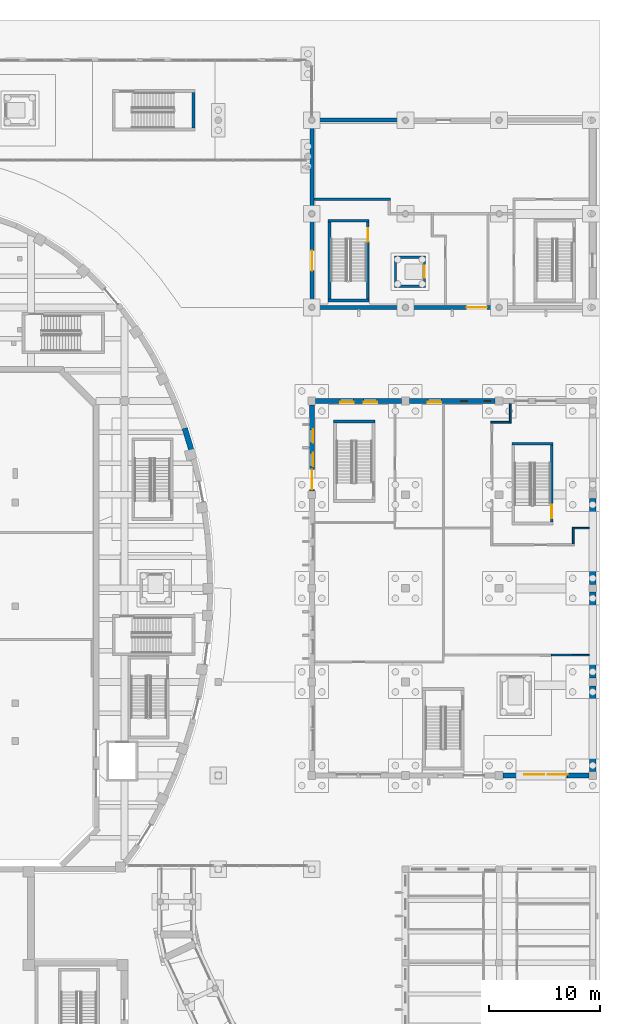
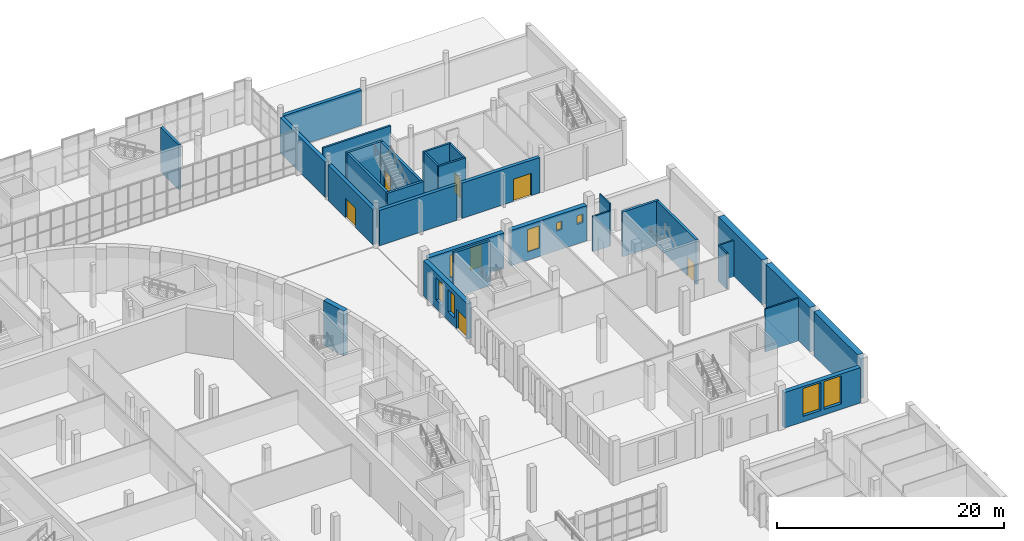
# One storey, part 67 of 110: 31 walls, 9 windows, 6 doors, 15 openings.
"""IFC4 building model written with IfcOpenShell, lengths in metres."""

from ifc_helpers import new_model, si_unit, direction, frame, frame_2d, origin, place, context, subcontext, project, spatial, rectangle, extrude, material, layer, layer_set, type_object, element, fill, save


model = new_model("IFC4")

# Units and contexts
model_context = context("Model", 3, precision=1e-05, world=origin(), true_north=direction((0.0, 1.0)))
body_context = subcontext(model_context, "Body", "Model", "MODEL_VIEW")
ifc_project = project(units=[si_unit("LENGTHUNIT", "METRE"), si_unit("AREAUNIT", "SQUARE_METRE"), si_unit("VOLUMEUNIT", "CUBIC_METRE"), si_unit("PLANEANGLEUNIT", "RADIAN"), si_unit("MASSUNIT", "GRAM", prefix="KILO")], contexts=[model_context])

# Site, building, storey
site_placement = place(None, origin())
site = spatial("IfcSite", under=ifc_project, at=site_placement, CompositionType="ELEMENT")
building_placement = place(site_placement, origin())
building = spatial("IfcBuilding", under=site, at=building_placement, Name="Larchfold Concert Hall", CompositionType="ELEMENT")
storey_placement = place(building_placement, origin())
storey = spatial("IfcBuildingStorey", under=building, at=storey_placement, Name="L00", CompositionType="ELEMENT", Elevation=0.0)

# Wall
ifc_material_1 = material(Name="Plasterboard partition on steel studs", Category="steel")
ifc_layer_1 = layer(ifc_material_1, 0.199951171875)
ifc_layer_set_1 = layer_set([ifc_layer_1], Name="Plasterboard partition on steel studs")
wall_type_1 = type_object("IfcWallType", Name="Acoustic partition 200", PredefinedType="PARTITIONING", material=ifc_layer_set_1)
wall_1_placement = place(storey_placement, frame((76.375, 119.4990234375, 0.0), z_axis=(0.0, 0.0, 1.0), x_axis=(1.0, 0.0, 0.0)))
element("IfcWall", 1, at=wall_1_placement, inside=storey, type_object=wall_type_1, Name="Partition IW0098", PredefinedType="PARTITIONING", context=body_context, shape_type="SweptSolid", body=[
    extrude(rectangle(XDim=6.8740234375, YDim=0.199951171875, at=frame_2d((3.43701171875, 0.0))), origin(), (0.0, 0.0, 1.0), 4.60009765625),
])

# Wall, openings, windows
ifc_material_2 = material(Name="Charred larch cladding on mineral wool and CLT", Category="wood")
ifc_layer_2 = layer(ifc_material_2, 0.449951171875)
ifc_layer_set_2 = layer_set([ifc_layer_2], Name="Charred larch cladding on mineral wool and CLT")
wall_type_2 = type_object("IfcWallType", Name="Charred larch infill wall 450", PredefinedType="SOLIDWALL", material=ifc_layer_set_2)
wall_2_placement = place(storey_placement, frame((92.64990234375, 101.39990234375, 0.0), z_axis=(0.0, 0.0, 1.0), x_axis=(-1.0, 0.0, 0.0)))
wall_2 = element("IfcWall", 2, at=wall_2_placement, inside=storey, type_object=wall_type_2, Name="Infill wall W5069", PredefinedType="SOLIDWALL", context=body_context, shape_type="SweptSolid", body=[
    extrude(rectangle(XDim=7.69970703125, YDim=0.449951171875, at=frame_2d((3.849853515625, 0.0))), origin(), (0.0, 0.0, 1.0), 3.800048828125),
])
opening_1_placement = place(wall_2_placement, frame((4.829833984375, 0.0, 0.89990234375)))
opening_1 = element("IfcOpeningElement", 3, at=opening_1_placement, cuts=wall_2, Name="Opening WN-L00-032", PredefinedType="OPENING", context=body_context, shape_type="SweptSolid", body=[
    extrude(rectangle(XDim=1.199951171875, YDim=2.39990234375, at=frame_2d((0.60009765625, 1.199951171875))), frame((0.0, 0.23486328125, 0.0), z_axis=(0.0, -1.0, 0.0), x_axis=(1.0, 0.0, 0.0)), (0.0, 0.0, 1.0), 0.469970703125),
])
opening_2_placement = place(wall_2_placement, frame((2.5, 0.0, 2.10009765625)))
opening_2 = element("IfcOpeningElement", 4, at=opening_2_placement, cuts=wall_2, Name="Opening WN-L00-033", PredefinedType="OPENING", context=body_context, shape_type="SweptSolid", body=[
    extrude(rectangle(XDim=0.60009765625, YDim=0.89990234375, at=frame_2d((0.300048828125, 0.449951171875))), frame((0.0, 0.23486328125, 0.0), z_axis=(0.0, -1.0, 0.0), x_axis=(1.0, 0.0, 0.0)), (0.0, 0.0, 1.0), 0.469970703125),
])
opening_3_placement = place(wall_2_placement, frame((0.39990234375, 0.0, 2.10009765625)))
opening_3 = element("IfcOpeningElement", 5, at=opening_3_placement, cuts=wall_2, Name="Opening WN-L00-034", PredefinedType="OPENING", context=body_context, shape_type="SweptSolid", body=[
    extrude(rectangle(XDim=0.60009765625, YDim=0.89990234375, at=frame_2d((0.300048828125, 0.449951171875))), frame((0.0, 0.23486328125, 0.0), z_axis=(0.0, -1.0, 0.0), x_axis=(1.0, 0.0, 0.0)), (0.0, 0.0, 1.0), 0.469970703125),
])
ifc_material_3 = material(Name="Anodised graphite aluminium frame with glass", Category="aluminium")
window_type_1 = type_object("IfcWindowType", Name="Slot window 1200x2400", PartitioningType="SINGLE_PANEL", PredefinedType="WINDOW", material=ifc_material_3)
window_1_placement = place(opening_1_placement, origin())
window_1 = element("IfcWindow", 6, at=window_1_placement, inside=storey, type_object=window_type_1, Name="Window WN-L00-032", OverallHeight=2.39990234375, OverallWidth=1.199951171875, PartitioningType="SINGLE_PANEL", PredefinedType="WINDOW", context=body_context, shape_type="SweptSolid", body=[
    extrude(rectangle(XDim=1.199951171875, YDim=2.39990234375, at=frame_2d((0.60009765625, 1.199951171875))), frame((0.0, 0.135009765625, 0.0), z_axis=(0.0, -1.0, 0.0), x_axis=(1.0, 0.0, 0.0)), (0.0, 0.0, 1.0), 0.06005859375),
])
fill(opening_1, window_1)
ifc_material_4 = material(Name="Anodised graphite aluminium frame with glass", Category="aluminium")
window_type_2 = type_object("IfcWindowType", Name="Store high window 600x900", PartitioningType="SINGLE_PANEL", PredefinedType="WINDOW", material=ifc_material_4)
window_2_placement = place(opening_2_placement, origin())
window_2 = element("IfcWindow", 7, at=window_2_placement, inside=storey, type_object=window_type_2, Name="Window WN-L00-033", OverallHeight=0.89990234375, OverallWidth=0.60009765625, PartitioningType="SINGLE_PANEL", PredefinedType="WINDOW", context=body_context, shape_type="SweptSolid", body=[
    extrude(rectangle(XDim=0.60009765625, YDim=0.89990234375, at=frame_2d((0.300048828125, 0.449951171875))), frame((0.0, 0.034912109375, 0.0), z_axis=(0.0, -1.0, 0.0), x_axis=(1.0, 0.0, 0.0)), (0.0, 0.0, 1.0), 0.06005859375),
])
fill(opening_2, window_2)
window_3_placement = place(opening_3_placement, origin())
window_3 = element("IfcWindow", 8, at=window_3_placement, inside=storey, type_object=window_type_2, Name="Window WN-L00-034", OverallHeight=0.89990234375, OverallWidth=0.60009765625, PartitioningType="SINGLE_PANEL", PredefinedType="WINDOW", context=body_context, shape_type="SweptSolid", body=[
    extrude(rectangle(XDim=0.60009765625, YDim=0.89990234375, at=frame_2d((0.300048828125, 0.449951171875))), frame((0.0, 0.034912109375, 0.0), z_axis=(0.0, -1.0, 0.0), x_axis=(1.0, 0.0, 0.0)), (0.0, 0.0, 1.0), 0.06005859375),
])
fill(opening_3, window_3)

wall_3_placement = place(storey_placement, frame((84.25, 101.39990234375, 0.0), z_axis=(0.0, 0.0, 1.0), x_axis=(-1.0, 0.0, 0.0)))
wall_3 = element("IfcWall", 9, at=wall_3_placement, inside=storey, type_object=wall_type_2, Name="Infill wall W5070", PredefinedType="SOLIDWALL", context=body_context, shape_type="SweptSolid", body=[
    extrude(rectangle(XDim=7.699951171875, YDim=0.449951171875, at=frame_2d((3.85009765625, 0.0))), origin(), (0.0, 0.0, 1.0), 3.800048828125),
])
opening_4_placement = place(wall_3_placement, frame((4.300048828125, 0.0, 0.89990234375)))
opening_4 = element("IfcOpeningElement", 10, at=opening_4_placement, cuts=wall_3, Name="Opening WN-L00-035", PredefinedType="OPENING", context=body_context, shape_type="SweptSolid", body=[
    extrude(rectangle(XDim=1.199951171875, YDim=2.39990234375, at=frame_2d((0.60009765625, 1.199951171875))), frame((0.0, 0.23486328125, 0.0), z_axis=(0.0, -1.0, 0.0), x_axis=(1.0, 0.0, 0.0)), (0.0, 0.0, 1.0), 0.469970703125),
])
opening_5_placement = place(wall_3_placement, frame((2.199951171875, 0.0, 0.89990234375)))
opening_5 = element("IfcOpeningElement", 11, at=opening_5_placement, cuts=wall_3, Name="Opening WN-L00-036", PredefinedType="OPENING", context=body_context, shape_type="SweptSolid", body=[
    extrude(rectangle(XDim=1.199951171875, YDim=2.39990234375, at=frame_2d((0.60009765625, 1.199951171875))), frame((0.0, 0.23486328125, 0.0), z_axis=(0.0, -1.0, 0.0), x_axis=(1.0, 0.0, 0.0)), (0.0, 0.0, 1.0), 0.469970703125),
])
window_4_placement = place(opening_4_placement, origin())
window_4 = element("IfcWindow", 12, at=window_4_placement, inside=storey, type_object=window_type_1, Name="Window WN-L00-035", OverallHeight=2.39990234375, OverallWidth=1.199951171875, PartitioningType="SINGLE_PANEL", PredefinedType="WINDOW", context=body_context, shape_type="SweptSolid", body=[
    extrude(rectangle(XDim=1.199951171875, YDim=2.39990234375, at=frame_2d((0.60009765625, 1.199951171875))), frame((0.0, 0.135009765625, 0.0), z_axis=(0.0, -1.0, 0.0), x_axis=(1.0, 0.0, 0.0)), (0.0, 0.0, 1.0), 0.06005859375),
])
fill(opening_4, window_4)
window_5_placement = place(opening_5_placement, origin())
window_5 = element("IfcWindow", 13, at=window_5_placement, inside=storey, type_object=window_type_1, Name="Window WN-L00-036", OverallHeight=2.39990234375, OverallWidth=1.199951171875, PartitioningType="SINGLE_PANEL", PredefinedType="WINDOW", context=body_context, shape_type="SweptSolid", body=[
    extrude(rectangle(XDim=1.199951171875, YDim=2.39990234375, at=frame_2d((0.60009765625, 1.199951171875))), frame((0.0, 0.135009765625, 0.0), z_axis=(0.0, -1.0, 0.0), x_axis=(1.0, 0.0, 0.0)), (0.0, 0.0, 1.0), 0.06005859375),
])
fill(opening_5, window_5)

# Wall, openings, door, windows
wall_4_placement = place(storey_placement, frame((76.199951171875, 101.0498046875, 0.0), z_axis=(0.0, 0.0, 1.0), x_axis=(0.0, -1.0, 0.0)))
wall_4 = element("IfcWall", 14, at=wall_4_placement, inside=storey, type_object=wall_type_2, Name="Infill wall W5071", PredefinedType="SOLIDWALL", context=body_context, shape_type="SweptSolid", body=[
    extrude(rectangle(XDim=7.69970703125, YDim=0.449951171875, at=frame_2d((3.849853515625, 0.0))), origin(), (0.0, 0.0, 1.0), 3.800048828125),
])
opening_6_placement = place(wall_4_placement, frame((7.599853515625, 0.0, 0.0), z_axis=(0.0, 0.0, 1.0), x_axis=(-1.0, 0.0, 0.0)))
opening_6 = element("IfcOpeningElement", 15, at=opening_6_placement, cuts=wall_4, Name="Opening D-L00-221", PredefinedType="OPENING", context=body_context, shape_type="SweptSolid", body=[
    extrude(rectangle(XDim=1.800048828125, YDim=2.10009765625, at=frame_2d((0.89990234375, 1.050048828125))), frame((0.0, 0.23486328125, 0.0), z_axis=(0.0, -1.0, 0.0), x_axis=(1.0, 0.0, 0.0)), (0.0, 0.0, 1.0), 0.469970703125),
])
opening_7_placement = place(wall_4_placement, frame((4.2998046875, 0.0, 0.89990234375)))
opening_7 = element("IfcOpeningElement", 16, at=opening_7_placement, cuts=wall_4, Name="Opening WN-L00-037", PredefinedType="OPENING", context=body_context, shape_type="SweptSolid", body=[
    extrude(rectangle(XDim=1.199951171875, YDim=2.39990234375, at=frame_2d((0.60009765625, 1.199951171875))), frame((0.0, 0.23486328125, 0.0), z_axis=(0.0, -1.0, 0.0), x_axis=(1.0, 0.0, 0.0)), (0.0, 0.0, 1.0), 0.469970703125),
])
opening_8_placement = place(wall_4_placement, frame((2.19970703125, 0.0, 0.89990234375)))
opening_8 = element("IfcOpeningElement", 17, at=opening_8_placement, cuts=wall_4, Name="Opening WN-L00-038", PredefinedType="OPENING", context=body_context, shape_type="SweptSolid", body=[
    extrude(rectangle(XDim=1.199951171875, YDim=2.39990234375, at=frame_2d((0.60009765625, 1.199951171875))), frame((0.0, 0.23486328125, 0.0), z_axis=(0.0, -1.0, 0.0), x_axis=(1.0, 0.0, 0.0)), (0.0, 0.0, 1.0), 0.469970703125),
])
ifc_material_5 = material(Name="Anodised graphite aluminium door leaf", Category="aluminium")
door_type_1 = type_object("IfcDoorType", Name="Exit door double 1800x2100", OperationType="DOUBLE_DOOR_SINGLE_SWING", PredefinedType="DOOR", material=ifc_material_5)
door_1_placement = place(opening_6_placement, origin())
door_1 = element("IfcDoor", 18, at=door_1_placement, inside=storey, type_object=door_type_1, Name="Door D-L00-221", OperationType="DOUBLE_DOOR_SINGLE_SWING", OverallHeight=2.10009765625, OverallWidth=1.800048828125, PredefinedType="DOOR", context=body_context, shape_type="SweptSolid", body=[
    extrude(rectangle(XDim=1.800048828125, YDim=2.10009765625, at=frame_2d((0.89990234375, 1.050048828125))), frame((0.0, 0.02490234375, 0.0), z_axis=(0.0, -1.0, 0.0), x_axis=(1.0, 0.0, 0.0)), (0.0, 0.0, 1.0), 0.050048828125),
])
fill(opening_6, door_1)
window_6_placement = place(opening_7_placement, origin())
window_6 = element("IfcWindow", 19, at=window_6_placement, inside=storey, type_object=window_type_1, Name="Window WN-L00-037", OverallHeight=2.39990234375, OverallWidth=1.199951171875, PartitioningType="SINGLE_PANEL", PredefinedType="WINDOW", context=body_context, shape_type="SweptSolid", body=[
    extrude(rectangle(XDim=1.199951171875, YDim=2.39990234375, at=frame_2d((0.60009765625, 1.199951171875))), frame((0.0, 0.135009765625, 0.0), z_axis=(0.0, -1.0, 0.0), x_axis=(1.0, 0.0, 0.0)), (0.0, 0.0, 1.0), 0.06005859375),
])
fill(opening_7, window_6)
window_7_placement = place(opening_8_placement, origin())
window_7 = element("IfcWindow", 20, at=window_7_placement, inside=storey, type_object=window_type_1, Name="Window WN-L00-038", OverallHeight=2.39990234375, OverallWidth=1.199951171875, PartitioningType="SINGLE_PANEL", PredefinedType="WINDOW", context=body_context, shape_type="SweptSolid", body=[
    extrude(rectangle(XDim=1.199951171875, YDim=2.39990234375, at=frame_2d((0.60009765625, 1.199951171875))), frame((0.0, 0.135009765625, 0.0), z_axis=(0.0, -1.0, 0.0), x_axis=(1.0, 0.0, 0.0)), (0.0, 0.0, 1.0), 0.06005859375),
])
fill(opening_8, window_7)

# Wall, openings, windows
wall_5_placement = place(storey_placement, frame((93.35009765625, 67.800048828125, 0.0), z_axis=(0.0, 0.0, 1.0), x_axis=(1.0, 0.0, 0.0)))
wall_5 = element("IfcWall", 21, at=wall_5_placement, inside=storey, type_object=wall_type_2, Name="Infill wall W5077", PredefinedType="SOLIDWALL", context=body_context, shape_type="SweptSolid", body=[
    extrude(rectangle(XDim=7.69970703125, YDim=0.449951171875, at=frame_2d((3.849853515625, 0.0))), origin(), (0.0, 0.0, 1.0), 3.800048828125),
])
opening_9_placement = place(wall_5_placement, frame((1.89990234375, 0.0, 0.60009765625)))
opening_9 = element("IfcOpeningElement", 22, at=opening_9_placement, cuts=wall_5, Name="Opening WN-L00-048", PredefinedType="OPENING", context=body_context, shape_type="SweptSolid", body=[
    extrude(rectangle(XDim=1.800048828125, YDim=3.0, at=frame_2d((0.89990234375, 1.5))), frame((0.0, 0.23486328125, 0.0), z_axis=(0.0, -1.0, 0.0), x_axis=(1.0, 0.0, 0.0)), (0.0, 0.0, 1.0), 0.469970703125),
])
opening_10_placement = place(wall_5_placement, frame((4.0, 0.0, 0.60009765625)))
opening_10 = element("IfcOpeningElement", 23, at=opening_10_placement, cuts=wall_5, Name="Opening WN-L00-049", PredefinedType="OPENING", context=body_context, shape_type="SweptSolid", body=[
    extrude(rectangle(XDim=1.800048828125, YDim=3.0, at=frame_2d((0.89990234375, 1.5))), frame((0.0, 0.23486328125, 0.0), z_axis=(0.0, -1.0, 0.0), x_axis=(1.0, 0.0, 0.0)), (0.0, 0.0, 1.0), 0.469970703125),
])
ifc_material_6 = material(Name="Anodised graphite aluminium frame with glass", Category="aluminium")
window_type_3 = type_object("IfcWindowType", Name="Foyer tall window 1800x3000", PartitioningType="DOUBLE_PANEL_VERTICAL", PredefinedType="WINDOW", material=ifc_material_6)
window_8_placement = place(opening_9_placement, origin())
window_8 = element("IfcWindow", 24, at=window_8_placement, inside=storey, type_object=window_type_3, Name="Window WN-L00-048", OverallHeight=3.0, OverallWidth=1.800048828125, PartitioningType="DOUBLE_PANEL_VERTICAL", PredefinedType="WINDOW", context=body_context, shape_type="SweptSolid", body=[
    extrude(rectangle(XDim=1.800048828125, YDim=3.0, at=frame_2d((0.89990234375, 1.5))), frame((0.0, 0.135009765625, 0.0), z_axis=(0.0, -1.0, 0.0), x_axis=(1.0, 0.0, 0.0)), (0.0, 0.0, 1.0), 0.06005859375),
])
fill(opening_9, window_8)
window_9_placement = place(opening_10_placement, origin())
window_9 = element("IfcWindow", 25, at=window_9_placement, inside=storey, type_object=window_type_3, Name="Window WN-L00-049", OverallHeight=3.0, OverallWidth=1.800048828125, PartitioningType="DOUBLE_PANEL_VERTICAL", PredefinedType="WINDOW", context=body_context, shape_type="SweptSolid", body=[
    extrude(rectangle(XDim=1.800048828125, YDim=3.0, at=frame_2d((0.89990234375, 1.5))), frame((0.0, 0.135009765625, 0.0), z_axis=(0.0, -1.0, 0.0), x_axis=(1.0, 0.0, 0.0)), (0.0, 0.0, 1.0), 0.06005859375),
])
fill(opening_10, window_9)

# Walls
ifc_material_7 = material(Name="White mineral panel on mineral wool")
ifc_layer_3 = layer(ifc_material_7, 0.35009765625)
ifc_layer_set_3 = layer_set([ifc_layer_3], Name="White mineral panel on mineral wool")
wall_type_3 = type_object("IfcWallType", Name="Insulated panel wall 350", PredefinedType="SOLIDWALL", material=ifc_layer_set_3)
for number, where, z_axis, x_axis, name in (
    (26, (84.34912109375, 126.60009765625, 0.0), (0.0, 0.0, 1.0), (-1.0, 0.0, 0.0), "Infill wall W5110"),
    (27, (76.199951171875, 126.34912109375, 0.0), (0.0, 0.0, 1.0), (0.0, -1.0, 0.0), "Infill wall W5111"),
):
    element("IfcWall", number, at=place(storey_placement, frame(where, z_axis=z_axis, x_axis=x_axis)), inside=storey, type_object=wall_type_3, Name=name, PredefinedType="SOLIDWALL", context=body_context, shape_type="SweptSolid", body=[
        extrude(rectangle(XDim=7.898193359375, YDim=0.35009765625, at=frame_2d((3.94921875, 0.0))), origin(), (0.0, 0.0, 1.0), 3.800048828125),
    ])

# Wall, opening, door
wall_6_placement = place(storey_placement, frame((76.199951171875, 117.948974609375, 0.0), z_axis=(0.0, 0.0, 1.0), x_axis=(0.0, -1.0, 0.0)))
wall_6 = element("IfcWall", 28, at=wall_6_placement, inside=storey, type_object=wall_type_3, Name="Infill wall W5112", PredefinedType="SOLIDWALL", context=body_context, shape_type="SweptSolid", body=[
    extrude(rectangle(XDim=7.89794921875, YDim=0.35009765625, at=frame_2d((3.948974609375, 0.0))), origin(), (0.0, 0.0, 1.0), 3.800048828125),
])
opening_11_placement = place(wall_6_placement, frame((4.84912109375, 0.0, 0.0), z_axis=(0.0, 0.0, 1.0), x_axis=(-1.0, 0.0, 0.0)))
opening_11 = element("IfcOpeningElement", 29, at=opening_11_placement, cuts=wall_6, Name="Opening D-L00-224", PredefinedType="OPENING", context=body_context, shape_type="SweptSolid", body=[
    extrude(rectangle(XDim=1.800048828125, YDim=2.10009765625, at=frame_2d((0.89990234375, 1.050048828125))), frame((0.0, 0.18505859375, 0.0), z_axis=(0.0, -1.0, 0.0), x_axis=(1.0, 0.0, 0.0)), (0.0, 0.0, 1.0), 0.3701171875),
])
door_2_placement = place(opening_11_placement, origin())
door_2 = element("IfcDoor", 30, at=door_2_placement, inside=storey, type_object=door_type_1, Name="Door D-L00-224", OperationType="DOUBLE_DOOR_SINGLE_SWING", OverallHeight=2.10009765625, OverallWidth=1.800048828125, PredefinedType="DOOR", context=body_context, shape_type="SweptSolid", body=[
    extrude(rectangle(XDim=1.800048828125, YDim=2.10009765625, at=frame_2d((0.89990234375, 1.050048828125))), frame((0.0, 0.02490234375, 0.0), z_axis=(0.0, -1.0, 0.0), x_axis=(1.0, 0.0, 0.0)), (0.0, 0.0, 1.0), 0.050048828125),
])
fill(opening_11, door_2)

# Wall
wall_7_placement = place(storey_placement, frame((76.450927734375, 109.800048828125, 0.0), z_axis=(0.0, 0.0, 1.0), x_axis=(1.0, 0.0, 0.0)))
element("IfcWall", 31, at=wall_7_placement, inside=storey, type_object=wall_type_3, Name="Infill wall W5113", PredefinedType="SOLIDWALL", context=body_context, shape_type="SweptSolid", body=[
    extrude(rectangle(XDim=7.898193359375, YDim=0.35009765625, at=frame_2d((3.94921875, 0.0))), origin(), (0.0, 0.0, 1.0), 3.800048828125),
])

# Wall, opening, door
wall_8_placement = place(storey_placement, frame((84.85107421875, 109.800048828125, 0.0), z_axis=(0.0, 0.0, 1.0), x_axis=(1.0, 0.0, 0.0)))
wall_8 = element("IfcWall", 32, at=wall_8_placement, inside=storey, type_object=wall_type_3, Name="Infill wall W5114", PredefinedType="SOLIDWALL", context=body_context, shape_type="SweptSolid", body=[
    extrude(rectangle(XDim=7.89794921875, YDim=0.35009765625, at=frame_2d((3.948974609375, 0.0))), origin(), (0.0, 0.0, 1.0), 3.800048828125),
])
opening_12_placement = place(wall_8_placement, frame((5.248046875, 0.0, 0.0)))
opening_12 = element("IfcOpeningElement", 33, at=opening_12_placement, cuts=wall_8, Name="Opening D-L00-225", PredefinedType="OPENING", context=body_context, shape_type="SweptSolid", body=[
    extrude(rectangle(XDim=1.800048828125, YDim=2.39990234375, at=frame_2d((0.89990234375, 1.199951171875))), frame((0.0, 0.18505859375, 0.0), z_axis=(0.0, -1.0, 0.0), x_axis=(1.0, 0.0, 0.0)), (0.0, 0.0, 1.0), 0.3701171875),
])
ifc_material_8 = material(Name="Anodised graphite aluminium door leaf", Category="aluminium")
door_type_2 = type_object("IfcDoorType", Name="Double door 1800x2400", OperationType="DOUBLE_DOOR_SINGLE_SWING", PredefinedType="DOOR", material=ifc_material_8)
door_3_placement = place(opening_12_placement, origin())
door_3 = element("IfcDoor", 34, at=door_3_placement, inside=storey, type_object=door_type_2, Name="Door D-L00-225", OperationType="DOUBLE_DOOR_SINGLE_SWING", OverallHeight=2.39990234375, OverallWidth=1.800048828125, PredefinedType="DOOR", context=body_context, shape_type="SweptSolid", body=[
    extrude(rectangle(XDim=1.800048828125, YDim=2.39990234375, at=frame_2d((0.89990234375, 1.199951171875))), frame((0.0, 0.02490234375, 0.0), z_axis=(0.0, -1.0, 0.0), x_axis=(1.0, 0.0, 0.0)), (0.0, 0.0, 1.0), 0.050048828125),
])
fill(opening_12, door_3)

# Walls
ifc_material_9 = material(Name="Plasterboard partition on steel studs", Category="steel")
ifc_layer_4 = layer(ifc_material_9, 0.14990234375)
ifc_layer_set_4 = layer_set([ifc_layer_4], Name="Plasterboard partition on steel studs")
wall_type_4 = type_object("IfcWallType", Name="Shaft and plant partition 150 EI 120", PredefinedType="PARTITIONING", material=ifc_layer_set_4)
wall_9_placement = place(storey_placement, frame((97.702880859375, 78.612060546875, 0.0), z_axis=(0.0, 0.0, 1.0), x_axis=(0.999997181024, -0.002374435672, 0.0)))
element("IfcWall", 35, at=wall_9_placement, inside=storey, type_object=wall_type_4, Name="Partition IW0083", PredefinedType="PARTITIONING", context=body_context, shape_type="SweptSolid", body=[
    extrude(rectangle(XDim=3.39306640625, YDim=0.14990234375, at=frame_2d((1.696533203125, 0.0))), origin(), (0.0, 0.0, 1.0), 4.60009765625),
])
wall_10_placement = place(storey_placement, frame((94.0, 101.1748046875, 0.0), z_axis=(0.0, 0.0, 1.0), x_axis=(0.0, -1.0, 0.0)))
element("IfcWall", 36, at=wall_10_placement, inside=storey, type_object=wall_type_4, Name="Partition IW0088", PredefinedType="PARTITIONING", context=body_context, shape_type="SweptSolid", body=[
    extrude(rectangle(XDim=1.749755859375, YDim=0.14990234375, at=frame_2d((0.875, 0.0))), origin(), (0.0, 0.0, 1.0), 4.60009765625),
])
wall_11_placement = place(storey_placement, frame((93.925048828125, 99.5, 0.0), z_axis=(0.0, 0.0, 1.0), x_axis=(-1.0, 0.0, 0.0)))
element("IfcWall", 37, at=wall_11_placement, inside=storey, type_object=wall_type_4, Name="Partition IW0089", PredefinedType="PARTITIONING", context=body_context, shape_type="SweptSolid", body=[
    extrude(rectangle(XDim=1.650146484375, YDim=0.14990234375, at=frame_2d((0.8251953125, 0.0))), origin(), (0.0, 0.0, 1.0), 3.800048828125),
])
wall_12_placement = place(storey_placement, frame((99.64990234375, 88.574951171875, 0.0), z_axis=(0.0, 0.0, 1.0), x_axis=(0.0, 1.0, 0.0)))
element("IfcWall", 38, at=wall_12_placement, inside=storey, type_object=wall_type_4, Name="Partition IW0093", PredefinedType="PARTITIONING", context=body_context, shape_type="SweptSolid", body=[
    extrude(rectangle(XDim=1.5, YDim=0.14990234375, at=frame_2d((0.75, 0.0))), origin(), (0.0, 0.0, 1.0), 3.89990234375),
])
wall_13_placement = place(storey_placement, frame((99.72509765625, 90.0, 0.0), z_axis=(0.0, 0.0, 1.0), x_axis=(1.0, 0.0, 0.0)))
element("IfcWall", 39, at=wall_13_placement, inside=storey, type_object=wall_type_4, Name="Partition IW0094", PredefinedType="PARTITIONING", context=body_context, shape_type="SweptSolid", body=[
    extrude(rectangle(XDim=1.375, YDim=0.14990234375, at=frame_2d((0.6875, 0.0))), origin(), (0.0, 0.0, 1.0), 3.89990234375),
])
ifc_material_10 = material(Name="Concrete C40/50", Category="concrete")
ifc_layer_5 = layer(ifc_material_10, 0.199951171875)
ifc_layer_set_5 = layer_set([ifc_layer_5], Name="Concrete C40/50")
wall_type_5 = type_object("IfcWallType", Name="Wall RC 200 lift shaft", PredefinedType="SOLIDWALL", material=ifc_layer_set_5)
for number, where, z_axis, x_axis, name in (
    (40, (83.60009765625, 111.7001953125, -1.39990234375), (0.0, 0.0, 1.0), (1.0, 0.0, 0.0), "Wall W0173"),
    (41, (83.60009765625, 114.2998046875, -1.39990234375), (0.0, 0.0, 1.0), (1.0, 0.0, 0.0), "Wall W0174"),
):
    element("IfcWall", number, at=place(storey_placement, frame(where, z_axis=z_axis, x_axis=x_axis)), inside=storey, type_object=wall_type_5, Name=name, PredefinedType="SOLIDWALL", context=body_context, shape_type="SweptSolid", body=[
        extrude(rectangle(XDim=2.7998046875, YDim=0.199951171875, at=frame_2d((1.39990234375, 0.0))), origin(), (0.0, 0.0, 1.0), 6.199951171875),
    ])
wall_14_placement = place(storey_placement, frame((83.7001953125, 111.800048828125, -1.39990234375), z_axis=(0.0, 0.0, 1.0), x_axis=(0.0, 1.0, 0.0)))
element("IfcWall", 42, at=wall_14_placement, inside=storey, type_object=wall_type_5, Name="Wall W0175", PredefinedType="SOLIDWALL", context=body_context, shape_type="SweptSolid", body=[
    extrude(rectangle(XDim=2.39990234375, YDim=0.199951171875, at=frame_2d((1.199951171875, 0.0))), origin(), (0.0, 0.0, 1.0), 6.199951171875),
])

# Wall, opening, door
wall_15_placement = place(storey_placement, frame((86.2998046875, 111.800048828125, -1.39990234375), z_axis=(0.0, 0.0, 1.0), x_axis=(0.0, 1.0, 0.0)))
wall_15 = element("IfcWall", 43, at=wall_15_placement, inside=storey, type_object=wall_type_5, Name="Wall W0176", PredefinedType="SOLIDWALL", context=body_context, shape_type="SweptSolid", body=[
    extrude(rectangle(XDim=2.39990234375, YDim=0.199951171875, at=frame_2d((1.199951171875, 0.0))), origin(), (0.0, 0.0, 1.0), 6.199951171875),
])
opening_13_placement = place(wall_15_placement, frame((0.64990234375, 0.0, 1.39990234375)))
opening_13 = element("IfcOpeningElement", 44, at=opening_13_placement, cuts=wall_15, Name="Opening LD-LF09", PredefinedType="OPENING", context=body_context, shape_type="SweptSolid", body=[
    extrude(rectangle(XDim=1.10009765625, YDim=2.10009765625, at=frame_2d((0.550048828125, 1.050048828125))), frame((0.0, 0.10986328125, 0.0), z_axis=(0.0, -1.0, 0.0), x_axis=(1.0, 0.0, 0.0)), (0.0, 0.0, 1.0), 0.219970703125),
])
ifc_material_11 = material(Name="Stainless steel sliding leaves", Category="steel")
door_type_3 = type_object("IfcDoorType", Name="Lift landing door sliding 1100 x 2100", OperationType="SLIDING_TO_LEFT", PredefinedType="DOOR", material=ifc_material_11)
door_4_placement = place(opening_13_placement, origin())
door_4 = element("IfcDoor", 45, at=door_4_placement, inside=storey, type_object=door_type_3, Name="Lift landing door LF09", OperationType="SLIDING_TO_LEFT", OverallHeight=2.10009765625, OverallWidth=1.10009765625, PredefinedType="DOOR", context=body_context, shape_type="SweptSolid", body=[
    extrude(rectangle(XDim=1.10009765625, YDim=2.10009765625, at=frame_2d((0.550048828125, 1.050048828125))), frame((0.0, 0.02490234375, 0.0), z_axis=(0.0, -1.0, 0.0), x_axis=(1.0, 0.0, 0.0)), (0.0, 0.0, 1.0), 0.050048828125),
])
fill(opening_13, door_4)

# Walls
ifc_material_12 = material(Name="Concrete C40/50", Category="concrete")
ifc_layer_6 = layer(ifc_material_12, 0.25)
ifc_layer_set_6 = layer_set([ifc_layer_6], Name="Concrete C40/50")
wall_type_6 = type_object("IfcWallType", Name="Wall RC 250 stair core", PredefinedType="SOLIDWALL", material=ifc_layer_set_6)
for number, where, z_axis, x_axis, name in (
    (46, (78.14990234375, 99.574951171875, 0.0), (0.0, 0.0, 1.0), (1.0, 0.0, 0.0), "Wall W0098"),
    (47, (94.14990234375, 97.574951171875, 0.0), (0.0, 0.0, 1.0), (1.0, 0.0, 0.0), "Wall W0102"),
):
    element("IfcWall", number, at=place(storey_placement, frame(where, z_axis=z_axis, x_axis=x_axis)), inside=storey, type_object=wall_type_6, Name=name, PredefinedType="SOLIDWALL", context=body_context, shape_type="SweptSolid", body=[
        extrude(rectangle(XDim=3.7001953125, YDim=0.25, at=frame_2d((1.85009765625, 0.0))), origin(), (0.0, 0.0, 1.0), 4.800048828125),
    ])

# Wall, opening, door
wall_16_placement = place(storey_placement, frame((97.72509765625, 90.550048828125, 0.0), z_axis=(0.0, 0.0, 1.0), x_axis=(0.0, 1.0, 0.0)))
wall_16 = element("IfcWall", 48, at=wall_16_placement, inside=storey, type_object=wall_type_6, Name="Wall W0104", PredefinedType="SOLIDWALL", context=body_context, shape_type="SweptSolid", body=[
    extrude(rectangle(XDim=6.89990234375, YDim=0.25, at=frame_2d((3.449951171875, 0.0))), origin(), (0.0, 0.0, 1.0), 4.800048828125),
])
opening_14_placement = place(wall_16_placement, frame((0.35009765625, 0.0, 0.0)))
opening_14 = element("IfcOpeningElement", 49, at=opening_14_placement, cuts=wall_16, Name="Opening D-L00-170", PredefinedType="OPENING", context=body_context, shape_type="SweptSolid", body=[
    extrude(rectangle(XDim=1.199951171875, YDim=2.10009765625, at=frame_2d((0.60009765625, 1.050048828125))), frame((0.0, 0.135009765625, 0.0), z_axis=(0.0, -1.0, 0.0), x_axis=(1.0, 0.0, 0.0)), (0.0, 0.0, 1.0), 0.27001953125),
])
ifc_material_13 = material(Name="Timber door leaf", Category="wood")
door_type_4 = type_object("IfcDoorType", Name="Stair enclosure door pair 1200 x 2100 FD60", OperationType="SINGLE_SWING_LEFT", PredefinedType="DOOR", material=ifc_material_13)
door_5_placement = place(opening_14_placement, origin())
door_5 = element("IfcDoor", 50, at=door_5_placement, inside=storey, type_object=door_type_4, Name="Door D-L00-170", OperationType="DOUBLE_DOOR_SINGLE_SWING", OverallHeight=2.10009765625, OverallWidth=1.199951171875, PredefinedType="DOOR", context=body_context, shape_type="SweptSolid", body=[
    extrude(rectangle(XDim=1.199951171875, YDim=2.10009765625, at=frame_2d((0.60009765625, 1.050048828125))), frame((0.0, 0.02490234375, 0.0), z_axis=(0.0, -1.0, 0.0), x_axis=(1.0, 0.0, 0.0)), (0.0, 0.0, 1.0), 0.050048828125),
])
fill(opening_14, door_5)

# Walls
for number, where, z_axis, x_axis, name in (
    (51, (77.64990234375, 110.425048828125, 0.0), (0.0, 0.0, 1.0), (1.0, 0.0, 0.0), "Wall W0105"),
    (52, (77.64990234375, 117.574951171875, 0.0), (0.0, 0.0, 1.0), (1.0, 0.0, 0.0), "Wall W0106"),
):
    element("IfcWall", number, at=place(storey_placement, frame(where, z_axis=z_axis, x_axis=x_axis)), inside=storey, type_object=wall_type_6, Name=name, PredefinedType="SOLIDWALL", context=body_context, shape_type="SweptSolid", body=[
        extrude(rectangle(XDim=3.7001953125, YDim=0.25, at=frame_2d((1.85009765625, 0.0))), origin(), (0.0, 0.0, 1.0), 4.800048828125),
    ])
wall_17_placement = place(storey_placement, frame((77.77490234375, 110.550048828125, 0.0), z_axis=(0.0, 0.0, 1.0), x_axis=(0.0, 1.0, 0.0)))
element("IfcWall", 53, at=wall_17_placement, inside=storey, type_object=wall_type_6, Name="Wall W0107", PredefinedType="SOLIDWALL", context=body_context, shape_type="SweptSolid", body=[
    extrude(rectangle(XDim=6.89990234375, YDim=0.25, at=frame_2d((3.449951171875, 0.0))), origin(), (0.0, 0.0, 1.0), 4.800048828125),
])

# Wall, opening, door
wall_18_placement = place(storey_placement, frame((81.22509765625, 110.550048828125, 0.0), z_axis=(0.0, 0.0, 1.0), x_axis=(0.0, 1.0, 0.0)))
wall_18 = element("IfcWall", 54, at=wall_18_placement, inside=storey, type_object=wall_type_6, Name="Wall W0108", PredefinedType="SOLIDWALL", context=body_context, shape_type="SweptSolid", body=[
    extrude(rectangle(XDim=6.89990234375, YDim=0.25, at=frame_2d((3.449951171875, 0.0))), origin(), (0.0, 0.0, 1.0), 4.800048828125),
])
opening_15_placement = place(wall_18_placement, frame((5.14990234375, 0.0, 0.0)))
opening_15 = element("IfcOpeningElement", 55, at=opening_15_placement, cuts=wall_18, Name="Opening D-L00-172", PredefinedType="OPENING", context=body_context, shape_type="SweptSolid", body=[
    extrude(rectangle(XDim=1.199951171875, YDim=2.10009765625, at=frame_2d((0.60009765625, 1.050048828125))), frame((0.0, 0.135009765625, 0.0), z_axis=(0.0, -1.0, 0.0), x_axis=(1.0, 0.0, 0.0)), (0.0, 0.0, 1.0), 0.27001953125),
])
door_6_placement = place(opening_15_placement, origin())
door_6 = element("IfcDoor", 56, at=door_6_placement, inside=storey, type_object=door_type_4, Name="Door D-L00-172", OperationType="DOUBLE_DOOR_SINGLE_SWING", OverallHeight=2.10009765625, OverallWidth=1.199951171875, PredefinedType="DOOR", context=body_context, shape_type="SweptSolid", body=[
    extrude(rectangle(XDim=1.199951171875, YDim=2.10009765625, at=frame_2d((0.60009765625, 1.050048828125))), frame((0.0, 0.02490234375, 0.0), z_axis=(0.0, -1.0, 0.0), x_axis=(1.0, 0.0, 0.0)), (0.0, 0.0, 1.0), 0.050048828125),
])
fill(opening_15, door_6)

# Walls
wall_19_placement = place(storey_placement, frame((65.574951171875, 125.89990234375, 0.0), z_axis=(0.0, 0.0, 1.0), x_axis=(0.0, 1.0, 0.0)))
element("IfcWall", 57, at=wall_19_placement, inside=storey, type_object=wall_type_6, Name="Wall W0136", PredefinedType="SOLIDWALL", context=body_context, shape_type="SweptSolid", body=[
    extrude(rectangle(XDim=3.2001953125, YDim=0.25, at=frame_2d((1.60009765625, 0.0))), origin(), (0.0, 0.0, 1.0), 4.800048828125),
])
ifc_material_14 = material(Name="Concrete C30/37", Category="concrete")
ifc_layer_7 = layer(ifc_material_14, 0.5)
ifc_layer_set_7 = layer_set([ifc_layer_7], Name="Concrete C30/37")
wall_type_7 = type_object("IfcWallType", Name="Wall RC 500 drum facade", PredefinedType="SOLIDWALL", material=ifc_layer_set_7)
wall_20_placement = place(storey_placement, frame((65.514892578125, 96.63134765625, 0.0), z_axis=(0.0, 0.0, 1.0), x_axis=(-0.290594767559, 0.956846215997, 0.0)))
element("IfcWall", 58, at=wall_20_placement, inside=storey, type_object=wall_type_7, Name="Wall DW006", PredefinedType="SOLIDWALL", context=body_context, shape_type="SweptSolid", body=[
    extrude(rectangle(XDim=2.433837890625, YDim=0.5, at=frame_2d((1.216796875, 0.0))), origin(), (0.0, 0.0, 1.0), 4.800048828125),
])
ifc_material_15 = material(Name="Concrete C40/50", Category="concrete")
ifc_layer_8 = layer(ifc_material_15, 0.60009765625)
ifc_layer_set_8 = layer_set([ifc_layer_8], Name="Concrete C40/50")
wall_type_8 = type_object("IfcWallType", Name="Wall RC 600 party wall", PredefinedType="SOLIDWALL", material=ifc_layer_set_8)
wall_21_placement = place(storey_placement, frame((101.39990234375, 68.14990234375, 0.0), z_axis=(0.0, 0.0, 1.0), x_axis=(0.0, 1.0, 0.0)))
element("IfcWall", 59, at=wall_21_placement, inside=storey, type_object=wall_type_8, Name="Wall W0027", PredefinedType="SOLIDWALL", context=body_context, shape_type="SweptSolid", body=[
    extrude(rectangle(XDim=7.7001953125, YDim=0.60009765625, at=frame_2d((3.85009765625, 0.0))), origin(), (0.0, 0.0, 1.0), 4.800048828125),
])
for number, where, z_axis, x_axis, name in (
    (60, (101.39990234375, 76.550048828125, 0.0), (0.0, 0.0, 1.0), (0.0, 1.0, 0.0), "Wall W0028"),
    (61, (101.39990234375, 84.949951171875, 0.0), (0.0, 0.0, 1.0), (0.0, 1.0, 0.0), "Wall W0029"),
):
    element("IfcWall", number, at=place(storey_placement, frame(where, z_axis=z_axis, x_axis=x_axis)), inside=storey, type_object=wall_type_8, Name=name, PredefinedType="SOLIDWALL", context=body_context, shape_type="SweptSolid", body=[
        extrude(rectangle(XDim=7.699951171875, YDim=0.60009765625, at=frame_2d((3.85009765625, 0.0))), origin(), (0.0, 0.0, 1.0), 4.800048828125),
    ])

save(model, "model.ifc")
